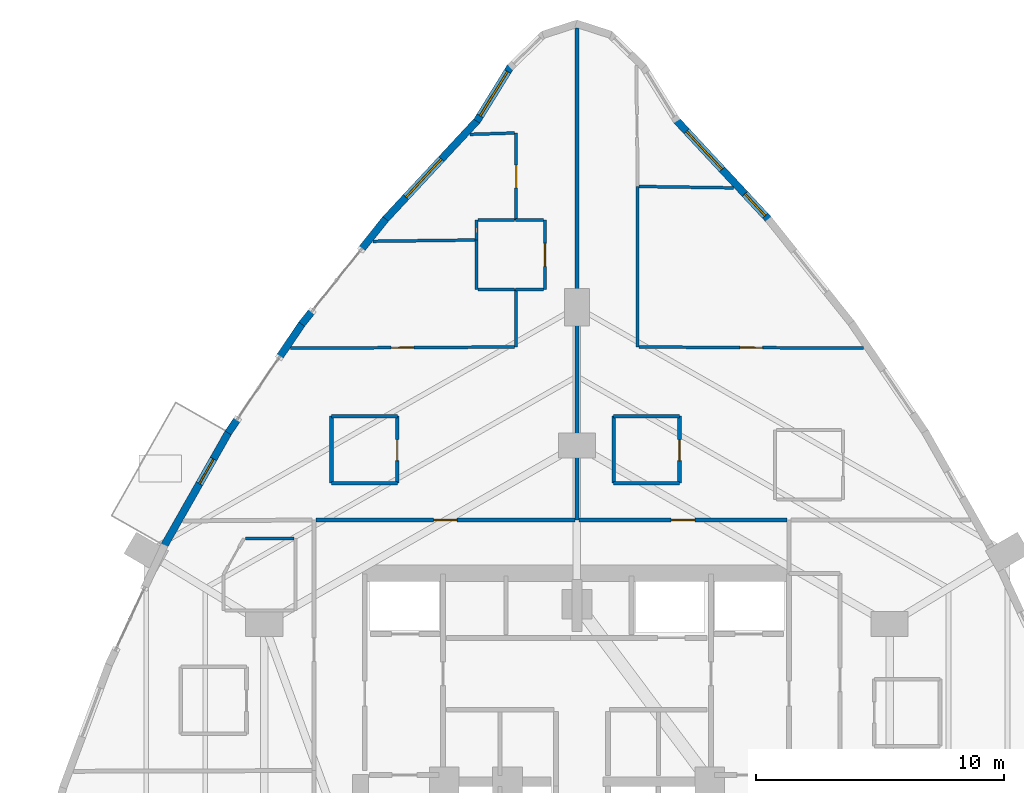
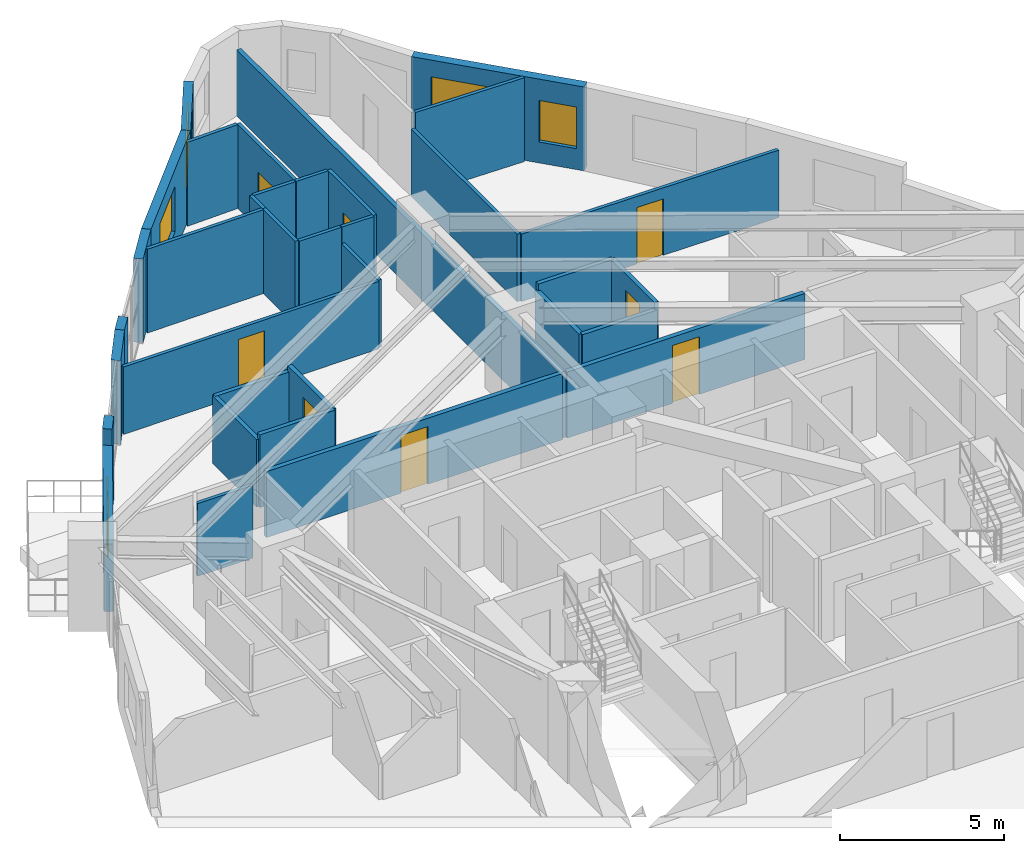
# One storey, part 15 of 17: 35 walls, 9 doors, 4 windows, 13 openings.
"""IFC4 building model written with IfcOpenShell, lengths in metres."""

from ifc_helpers import new_model, si_unit, direction, frame, frame_2d, origin, place, context, subcontext, project, spatial, rectangle, extrude, material, layer, layer_set, type_object, element, fill, save


model = new_model("IFC4")

# Units and contexts
model_context = context("Model", 3, precision=1e-05, world=origin(), true_north=direction((0.0, 1.0)))
body_context = subcontext(model_context, "Body", "Model", "MODEL_VIEW")
ifc_project = project(units=[si_unit("LENGTHUNIT", "METRE"), si_unit("AREAUNIT", "SQUARE_METRE"), si_unit("VOLUMEUNIT", "CUBIC_METRE"), si_unit("PLANEANGLEUNIT", "RADIAN"), si_unit("MASSUNIT", "GRAM", prefix="KILO")], contexts=[model_context])

# Site, building, storey
site_placement = place(None, origin())
site = spatial("IfcSite", under=ifc_project, at=site_placement, CompositionType="ELEMENT")
building_placement = place(site_placement, origin())
building = spatial("IfcBuilding", under=site, at=building_placement, Name="Miruveldt Soraemaru", CompositionType="ELEMENT")
storey_placement = place(building_placement, frame((0.0, 0.0, 53.0)))
storey = spatial("IfcBuildingStorey", under=building, at=storey_placement, Name="L14", CompositionType="ELEMENT", Elevation=53.0)

# Wall, opening, window
ifc_material_1 = material(Name="Precast concrete C45/55 (45 MPa)", Category="concrete")
ifc_layer_1 = layer(ifc_material_1, 0.300048828125, Name="Precast concrete C45/55 (45 MPa)", Category="concrete")
ifc_layer_set_1 = layer_set([ifc_layer_1], Name="Precast concrete C45/55 (45 MPa)")
wall_type_1 = type_object("IfcWallType", Name="WALL-EXT-PC300", PredefinedType="SOLIDWALL", material=ifc_layer_set_1)
wall_1_placement = place(storey_placement, frame((41.3408203125, 72.890625, 0.0), z_axis=(0.0, 0.0, 1.0), x_axis=(-0.526091034917, -0.850428258573, 0.0)))
wall_1 = element("IfcWall", 1, at=wall_1_placement, inside=storey, type_object=wall_type_1, Name="L14 Precast Concrete Facade Wall 6", PredefinedType="SOLIDWALL", context=body_context, shape_type="SweptSolid", body=[
    extrude(rectangle(XDim=2.614990234375, YDim=0.300048828125, at=frame_2d((1.3076171875, 0.0))), origin(), (0.0, 0.0, 1.0), 3.125),
])
opening_1_placement = place(wall_1_placement, frame((0.258056640625, 0.0, 0.800048828125)))
opening_1 = element("IfcOpeningElement", 2, at=opening_1_placement, cuts=wall_1, Name="Opening WN-1", PredefinedType="OPENING", context=body_context, shape_type="SweptSolid", body=[
    extrude(rectangle(XDim=2.10009765625, YDim=1.699951171875, at=frame_2d((1.050048828125, 0.85009765625))), frame((0.0, 0.16015625, 0.0), z_axis=(0.0, -1.0, 0.0), x_axis=(1.0, 0.0, 0.0)), (0.0, 0.0, 1.0), 0.320068359375),
])
ifc_material_2 = material(Name="Triple low-e insulated glazing", Category="glass")
window_type_1 = type_object("IfcWindowType", Name="WIN-PUNCH-2100x1700", PartitioningType="SINGLE_PANEL", PredefinedType="WINDOW", material=ifc_material_2)
window_1_placement = place(opening_1_placement, origin())
window_1 = element("IfcWindow", 3, at=window_1_placement, inside=storey, type_object=window_type_1, Name="L14 Punched Triple-Glazed Window 06.1", OverallHeight=1.699951171875, OverallWidth=2.10009765625, PartitioningType="SINGLE_PANEL", PredefinedType="WINDOW", context=body_context, shape_type="SweptSolid", body=[
    extrude(rectangle(XDim=2.10009765625, YDim=1.699951171875, at=frame_2d((1.050048828125, 0.85009765625))), frame((0.0, 0.030029296875, 0.0), z_axis=(0.0, -1.0, 0.0), x_axis=(1.0, 0.0, 0.0)), (0.0, 0.0, 1.0), 0.06005859375),
])
fill(opening_1, window_1)

wall_2_placement = place(storey_placement, frame((40.00732421875, 70.72216796875, 0.0), z_axis=(0.0, 0.0, 1.0), x_axis=(-0.680895092612, -0.732380961561, 0.0)))
wall_2 = element("IfcWall", 4, at=wall_2_placement, inside=storey, type_object=wall_type_1, Name="L14 Precast Concrete Facade Wall 7", PredefinedType="SOLIDWALL", context=body_context, shape_type="SweptSolid", body=[
    extrude(rectangle(XDim=5.5244140625, YDim=0.300048828125, at=frame_2d((2.76220703125, 0.0))), origin(), (0.0, 0.0, 1.0), 3.125),
])
opening_2_placement = place(wall_2_placement, frame((2.155029296875, 0.0, 0.800048828125)))
opening_2 = element("IfcOpeningElement", 5, at=opening_2_placement, cuts=wall_2, Name="Opening WN-1", PredefinedType="OPENING", context=body_context, shape_type="SweptSolid", body=[
    extrude(rectangle(XDim=2.10009765625, YDim=1.699951171875, at=frame_2d((1.050048828125, 0.85009765625))), frame((0.0, 0.16015625, 0.0), z_axis=(0.0, -1.0, 0.0), x_axis=(1.0, 0.0, 0.0)), (0.0, 0.0, 1.0), 0.320068359375),
])
window_2_placement = place(opening_2_placement, origin())
window_2 = element("IfcWindow", 6, at=window_2_placement, inside=storey, type_object=window_type_1, Name="L14 Punched Triple-Glazed Window 07.1", OverallHeight=1.699951171875, OverallWidth=2.10009765625, PartitioningType="SINGLE_PANEL", PredefinedType="WINDOW", context=body_context, shape_type="SweptSolid", body=[
    extrude(rectangle(XDim=2.10009765625, YDim=1.699951171875, at=frame_2d((1.050048828125, 0.85009765625))), frame((0.0, 0.030029296875, 0.0), z_axis=(0.0, -1.0, 0.0), x_axis=(1.0, 0.0, 0.0)), (0.0, 0.0, 1.0), 0.06005859375),
])
fill(opening_2, window_2)

# Walls
wall_3_placement = place(storey_placement, frame((36.29150390625, 66.729248046875, 0.0), z_axis=(0.0, 0.0, 1.0), x_axis=(-0.623615981755, -0.781730840699, 0.0)))
element("IfcWall", 7, at=wall_3_placement, inside=storey, type_object=wall_type_1, Name="L14 Precast Pier Left 8", PredefinedType="SOLIDWALL", context=body_context, shape_type="SweptSolid", body=[
    extrude(rectangle(XDim=1.601318359375, YDim=0.300048828125, at=frame_2d((0.80078125, 0.0))), origin(), (0.0, 0.0, 1.0), 3.125),
])
wall_4_placement = place(storey_placement, frame((33.347412109375, 63.03857421875, 0.0), z_axis=(0.0, 0.0, 1.0), x_axis=(-0.623597172589, -0.781745845105, 0.0)))
element("IfcWall", 8, at=wall_4_placement, inside=storey, type_object=wall_type_1, Name="L14 Precast Pier Right 8", PredefinedType="SOLIDWALL", context=body_context, shape_type="SweptSolid", body=[
    extrude(rectangle(XDim=0.70556640625, YDim=0.300048828125, at=frame_2d((0.352783203125, 0.0))), origin(), (0.0, 0.0, 1.0), 3.125),
])
wall_5_placement = place(storey_placement, frame((32.948974609375, 62.54345703125, 0.0), z_axis=(0.0, 0.0, 1.0), x_axis=(-0.560835471844, -0.827927275503, 0.0)))
element("IfcWall", 9, at=wall_5_placement, inside=storey, type_object=wall_type_1, Name="L14 Precast Pier Left 9", PredefinedType="SOLIDWALL", context=body_context, shape_type="SweptSolid", body=[
    extrude(rectangle(XDim=1.703857421875, YDim=0.300048828125, at=frame_2d((0.85205078125, 0.0))), origin(), (0.0, 0.0, 1.0), 3.125),
])
wall_6_placement = place(storey_placement, frame((30.338134765625, 58.689453125, 0.0), z_axis=(0.0, 0.0, 1.0), x_axis=(-0.56067967064, -0.828032793391, 0.0)))
element("IfcWall", 10, at=wall_6_placement, inside=storey, type_object=wall_type_1, Name="L14 Precast Pier Right 9", PredefinedType="SOLIDWALL", context=body_context, shape_type="SweptSolid", body=[
    extrude(rectangle(XDim=0.705078125, YDim=0.300048828125, at=frame_2d((0.3525390625, 0.0))), origin(), (0.0, 0.0, 1.0), 3.125),
])

# Wall, opening, door
wall_7_placement = place(storey_placement, frame((29.979736328125, 58.1650390625, 0.0), z_axis=(0.0, 0.0, 1.0), x_axis=(-0.493372197002, -0.869818300121, 0.0)))
wall_7 = element("IfcWall", 11, at=wall_7_placement, inside=storey, type_object=wall_type_1, Name="L14 Precast Concrete Facade Wall 10", PredefinedType="SOLIDWALL", context=body_context, shape_type="SweptSolid", body=[
    extrude(rectangle(XDim=5.326416015625, YDim=0.300048828125, at=frame_2d((2.6630859375, 0.0))), origin(), (0.0, 0.0, 1.0), 2.512939453125),
])
opening_3_placement = place(wall_7_placement, frame((1.27197265625, 0.0, 0.0)))
opening_3 = element("IfcOpeningElement", 12, at=opening_3_placement, cuts=wall_7, Name="Opening TD-2", PredefinedType="OPENING", context=body_context, shape_type="SweptSolid", body=[
    extrude(rectangle(XDim=1.14990234375, YDim=2.199951171875, at=frame_2d((0.574951171875, 1.10009765625))), frame((0.0, 0.16015625, 0.0), z_axis=(0.0, -1.0, 0.0), x_axis=(1.0, 0.0, 0.0)), (0.0, 0.0, 1.0), 0.320068359375),
])
ifc_material_3 = material(Name="Anodised aluminium EN AW-6063 T6", Category="aluminium")
door_type_1 = type_object("IfcDoorType", Name="DOOR-SG-1150", OperationType="NOTDEFINED", PredefinedType="DOOR", material=ifc_material_3)
door_1_placement = place(opening_3_placement, frame((1.14990234375, 0.0, 0.0), z_axis=(0.0, 0.0, 1.0), x_axis=(-1.0, 0.0, 0.0)))
door_1 = element("IfcDoor", 13, at=door_1_placement, inside=storey, type_object=door_type_1, Name="L14 Terrace Access Glazed Door 10", OperationType="SINGLE_SWING_RIGHT", OverallHeight=2.199951171875, OverallWidth=1.14990234375, PredefinedType="DOOR", context=body_context, shape_type="SweptSolid", body=[
    extrude(rectangle(XDim=1.14990234375, YDim=2.199951171875, at=frame_2d((0.574951171875, 1.10009765625))), frame((0.0, 0.02490234375, 0.0), z_axis=(0.0, -1.0, 0.0), x_axis=(1.0, 0.0, 0.0)), (0.0, 0.0, 1.0), 0.050048828125),
])
fill(opening_3, door_1)

# Wall, openings, windows
wall_8_placement = place(storey_placement, frame((51.754150390625, 66.67626953125, 0.0), z_axis=(0.0, 0.0, 1.0), x_axis=(-0.680895092612, 0.732380961561, 0.0)))
wall_8 = element("IfcWall", 14, at=wall_8_placement, inside=storey, type_object=wall_type_1, Name="L14 Precast Concrete Facade Wall 42", PredefinedType="SOLIDWALL", context=body_context, shape_type="SweptSolid", body=[
    extrude(rectangle(XDim=5.5244140625, YDim=0.300048828125, at=frame_2d((2.76220703125, 0.0))), origin(), (0.0, 0.0, 1.0), 3.125),
])
opening_4_placement = place(wall_8_placement, frame((0.24609375, 0.0, 0.780029296875)))
opening_4 = element("IfcOpeningElement", 15, at=opening_4_placement, cuts=wall_8, Name="Opening WN-4", PredefinedType="OPENING", context=body_context, shape_type="SweptSolid", body=[
    extrude(rectangle(XDim=1.199951171875, YDim=1.550048828125, at=frame_2d((0.60009765625, 0.77490234375))), frame((0.0, 0.16015625, 0.0), z_axis=(0.0, -1.0, 0.0), x_axis=(1.0, 0.0, 0.0)), (0.0, 0.0, 1.0), 0.320068359375),
])
opening_5_placement = place(wall_8_placement, frame((2.799072265625, 0.0, 0.800048828125)))
opening_5 = element("IfcOpeningElement", 16, at=opening_5_placement, cuts=wall_8, Name="Opening WN-1", PredefinedType="OPENING", context=body_context, shape_type="SweptSolid", body=[
    extrude(rectangle(XDim=2.10009765625, YDim=1.699951171875, at=frame_2d((1.050048828125, 0.85009765625))), frame((0.0, 0.16015625, 0.0), z_axis=(0.0, -1.0, 0.0), x_axis=(1.0, 0.0, 0.0)), (0.0, 0.0, 1.0), 0.320068359375),
])
window_type_2 = type_object("IfcWindowType", Name="WIN-PUNCH-1200x1550", PartitioningType="SINGLE_PANEL", PredefinedType="WINDOW", material=ifc_material_2)
window_3_placement = place(opening_4_placement, origin())
window_3 = element("IfcWindow", 17, at=window_3_placement, inside=storey, type_object=window_type_2, Name="L14 Punched Triple-Glazed Window 42.1", OverallHeight=1.550048828125, OverallWidth=1.199951171875, PartitioningType="SINGLE_PANEL", PredefinedType="WINDOW", context=body_context, shape_type="SweptSolid", body=[
    extrude(rectangle(XDim=1.199951171875, YDim=1.550048828125, at=frame_2d((0.60009765625, 0.77490234375))), frame((0.0, 0.030029296875, 0.0), z_axis=(0.0, -1.0, 0.0), x_axis=(1.0, 0.0, 0.0)), (0.0, 0.0, 1.0), 0.06005859375),
])
fill(opening_4, window_3)
window_4_placement = place(opening_5_placement, origin())
window_4 = element("IfcWindow", 18, at=window_4_placement, inside=storey, type_object=window_type_1, Name="L14 Punched Triple-Glazed Window 42.2", OverallHeight=1.699951171875, OverallWidth=2.10009765625, PartitioningType="SINGLE_PANEL", PredefinedType="WINDOW", context=body_context, shape_type="SweptSolid", body=[
    extrude(rectangle(XDim=2.10009765625, YDim=1.699951171875, at=frame_2d((1.050048828125, 0.85009765625))), frame((0.0, 0.030029296875, 0.0), z_axis=(0.0, -1.0, 0.0), x_axis=(1.0, 0.0, 0.0)), (0.0, 0.0, 1.0), 0.06005859375),
])
fill(opening_5, window_4)

# Wall, opening, door
ifc_material_4 = material(Name="Gypsum plasterboard lining", Category="gypsum")
ifc_layer_2 = layer(ifc_material_4, 0.1201171875, Name="Gypsum plasterboard lining", Category="gypsum")
ifc_layer_set_2 = layer_set([ifc_layer_2], Name="Gypsum plasterboard lining")
wall_type_2 = type_object("IfcWallType", Name="WALL-INT-P120", PredefinedType="PARTITIONING", material=ifc_layer_set_2)
wall_9_placement = place(storey_placement, frame((41.489990234375, 61.568115234375, 0.0), z_axis=(0.0, 0.0, 1.0), x_axis=(-0.999985831448, -0.005323241787, 0.0)))
wall_9 = element("IfcWall", 19, at=wall_9_placement, inside=storey, type_object=wall_type_2, Name="L14 Partition Wall 20", PredefinedType="PARTITIONING", context=body_context, shape_type="SweptSolid", body=[
    extrude(rectangle(XDim=9.03515625, YDim=0.1201171875, at=frame_2d((4.517578125, 0.0))), origin(), (0.0, 0.0, 1.0), 2.512939453125),
])
opening_6_placement = place(wall_9_placement, frame((4.05810546875, 0.0, 0.0)))
opening_6 = element("IfcOpeningElement", 20, at=opening_6_placement, cuts=wall_9, Name="Opening D3A", PredefinedType="OPENING", context=body_context, shape_type="SweptSolid", body=[
    extrude(rectangle(XDim=0.919921875, YDim=2.10009765625, at=frame_2d((0.4599609375, 1.050048828125))), frame((0.0, 0.070068359375, 0.0), z_axis=(0.0, -1.0, 0.0), x_axis=(1.0, 0.0, 0.0)), (0.0, 0.0, 1.0), 0.14013671875),
])
door_type_2 = type_object("IfcDoorType", Name="DOOR-INT-920", OperationType="NOTDEFINED", PredefinedType="DOOR", material=ifc_material_3)
door_2_placement = place(opening_6_placement, origin())
door_2 = element("IfcDoor", 21, at=door_2_placement, inside=storey, type_object=door_type_2, Name="L14 Unit 1401 BD1 Door", OperationType="SINGLE_SWING_LEFT", OverallHeight=2.10009765625, OverallWidth=0.919921875, PredefinedType="DOOR", context=body_context, shape_type="SweptSolid", body=[
    extrude(rectangle(XDim=0.919921875, YDim=2.10009765625, at=frame_2d((0.4599609375, 1.050048828125))), frame((0.0, 0.02490234375, 0.0), z_axis=(0.0, -1.0, 0.0), x_axis=(1.0, 0.0, 0.0)), (0.0, 0.0, 1.0), 0.050048828125),
])
fill(opening_6, door_2)

wall_10_placement = place(storey_placement, frame((55.544921875, 61.52001953125, 0.0), z_axis=(0.0, 0.0, 1.0), x_axis=(-0.999985831448, 0.005323241787, 0.0)))
wall_10 = element("IfcWall", 22, at=wall_10_placement, inside=storey, type_object=wall_type_2, Name="L14 Partition Wall 38", PredefinedType="PARTITIONING", context=body_context, shape_type="SweptSolid", body=[
    extrude(rectangle(XDim=9.03515625, YDim=0.1201171875, at=frame_2d((4.517578125, 0.0))), origin(), (0.0, 0.0, 1.0), 2.512939453125),
])
opening_7_placement = place(wall_10_placement, frame((4.05810546875, 0.0, 0.0)))
opening_7 = element("IfcOpeningElement", 23, at=opening_7_placement, cuts=wall_10, Name="Opening D3A", PredefinedType="OPENING", context=body_context, shape_type="SweptSolid", body=[
    extrude(rectangle(XDim=0.919921875, YDim=2.10009765625, at=frame_2d((0.4599609375, 1.050048828125))), frame((0.0, 0.070068359375, 0.0), z_axis=(0.0, -1.0, 0.0), x_axis=(1.0, 0.0, 0.0)), (0.0, 0.0, 1.0), 0.14013671875),
])
door_3_placement = place(opening_7_placement, origin())
door_3 = element("IfcDoor", 24, at=door_3_placement, inside=storey, type_object=door_type_2, Name="L14 Unit 1402 BD1 Door", OperationType="SINGLE_SWING_RIGHT", OverallHeight=2.10009765625, OverallWidth=0.919921875, PredefinedType="DOOR", context=body_context, shape_type="SweptSolid", body=[
    extrude(rectangle(XDim=0.919921875, YDim=2.10009765625, at=frame_2d((0.4599609375, 1.050048828125))), frame((0.0, 0.02490234375, 0.0), z_axis=(0.0, -1.0, 0.0), x_axis=(1.0, 0.0, 0.0)), (0.0, 0.0, 1.0), 0.050048828125),
])
fill(opening_7, door_3)

wall_11_placement = place(storey_placement, frame((41.550048828125, 70.195068359375, 0.0), z_axis=(0.0, 0.0, 1.0), x_axis=(0.0, -1.0, 0.0)))
wall_11 = element("IfcWall", 25, at=wall_11_placement, inside=storey, type_object=wall_type_2, Name="L14 Partition Wall 22", PredefinedType="PARTITIONING", context=body_context, shape_type="SweptSolid", body=[
    extrude(rectangle(XDim=3.51513671875, YDim=0.1201171875, at=frame_2d((1.757568359375, 0.0))), origin(), (0.0, 0.0, 1.0), 3.125),
])
opening_8_placement = place(wall_11_placement, frame((1.297119140625, 0.0, 0.0)))
opening_8 = element("IfcOpeningElement", 26, at=opening_8_placement, cuts=wall_11, Name="Opening D3A", PredefinedType="OPENING", context=body_context, shape_type="SweptSolid", body=[
    extrude(rectangle(XDim=0.919921875, YDim=2.10009765625, at=frame_2d((0.4599609375, 1.050048828125))), frame((0.0, 0.070068359375, 0.0), z_axis=(0.0, -1.0, 0.0), x_axis=(1.0, 0.0, 0.0)), (0.0, 0.0, 1.0), 0.14013671875),
])
door_4_placement = place(opening_8_placement, origin())
door_4 = element("IfcDoor", 27, at=door_4_placement, inside=storey, type_object=door_type_2, Name="L14 Unit 1401 BD2 Door", OperationType="SINGLE_SWING_RIGHT", OverallHeight=2.10009765625, OverallWidth=0.919921875, PredefinedType="DOOR", context=body_context, shape_type="SweptSolid", body=[
    extrude(rectangle(XDim=0.919921875, YDim=2.10009765625, at=frame_2d((0.4599609375, 1.050048828125))), frame((0.0, 0.02490234375, 0.0), z_axis=(0.0, -1.0, 0.0), x_axis=(1.0, 0.0, 0.0)), (0.0, 0.0, 1.0), 0.050048828125),
])
fill(opening_8, door_4)

wall_12_placement = place(storey_placement, frame((42.7099609375, 63.8798828125, 0.0), z_axis=(0.0, 0.0, 1.0), x_axis=(0.0, 1.0, 0.0)))
wall_12 = element("IfcWall", 28, at=wall_12_placement, inside=storey, type_object=wall_type_2, Name="L14 Partition Wall 16", PredefinedType="PARTITIONING", context=body_context, shape_type="SweptSolid", body=[
    extrude(rectangle(XDim=2.800048828125, YDim=0.1201171875, at=frame_2d((1.39990234375, 0.0))), origin(), (0.0, 0.0, 1.0), 3.125),
])
opening_9_placement = place(wall_12_placement, frame((0.93994140625, 0.0, 0.0)))
opening_9 = element("IfcOpeningElement", 29, at=opening_9_placement, cuts=wall_12, Name="Opening D3A", PredefinedType="OPENING", context=body_context, shape_type="SweptSolid", body=[
    extrude(rectangle(XDim=0.919921875, YDim=2.10009765625, at=frame_2d((0.4599609375, 1.050048828125))), frame((0.0, 0.070068359375, 0.0), z_axis=(0.0, -1.0, 0.0), x_axis=(1.0, 0.0, 0.0)), (0.0, 0.0, 1.0), 0.14013671875),
])
door_5_placement = place(opening_9_placement, origin())
door_5 = element("IfcDoor", 30, at=door_5_placement, inside=storey, type_object=door_type_2, Name="L14 Unit 1401 KIT Door", OperationType="SINGLE_SWING_RIGHT", OverallHeight=2.10009765625, OverallWidth=0.919921875, PredefinedType="DOOR", context=body_context, shape_type="SweptSolid", body=[
    extrude(rectangle(XDim=0.919921875, YDim=2.10009765625, at=frame_2d((0.4599609375, 1.050048828125))), frame((0.0, 0.02490234375, 0.0), z_axis=(0.0, -1.0, 0.0), x_axis=(1.0, 0.0, 0.0)), (0.0, 0.0, 1.0), 0.050048828125),
])
fill(opening_9, door_5)

# Walls
wall_13_placement = place(storey_placement, frame((46.449951171875, 61.568115234375, 0.0), z_axis=(0.0, 0.0, 1.0), x_axis=(0.0, 1.0, 0.0)))
element("IfcWall", 31, at=wall_13_placement, inside=storey, type_object=wall_type_2, Name="L14 Partition Wall 39", PredefinedType="PARTITIONING", context=body_context, shape_type="SweptSolid", body=[
    extrude(rectangle(XDim=6.469970703125, YDim=0.1201171875, at=frame_2d((3.23486328125, 0.0))), origin(), (0.0, 0.0, 1.0), 2.512939453125),
])
wall_14_placement = place(storey_placement, frame((39.89990234375, 65.8798828125, 0.0), z_axis=(0.0, 0.0, 1.0), x_axis=(-0.999920198032, -0.012633193083, 0.0)))
element("IfcWall", 32, at=wall_14_placement, inside=storey, type_object=wall_type_2, Name="L14 Partition Wall 29", PredefinedType="PARTITIONING", context=body_context, shape_type="SweptSolid", body=[
    extrude(rectangle(XDim=4.1162109375, YDim=0.1201171875, at=frame_2d((2.05810546875, 0.0))), origin(), (0.0, 0.0, 1.0), 3.125),
])
wall_15_placement = place(storey_placement, frame((50.31689453125, 67.97998046875, 0.0), z_axis=(0.0, 0.0, 1.0), x_axis=(-0.999887417985, 0.015005044302, 0.0)))
element("IfcWall", 33, at=wall_15_placement, inside=storey, type_object=wall_type_2, Name="L14 Partition Wall 42", PredefinedType="PARTITIONING", context=body_context, shape_type="SweptSolid", body=[
    extrude(rectangle(XDim=3.807373046875, YDim=0.1201171875, at=frame_2d((1.90380859375, 0.0))), origin(), (0.0, 0.0, 1.0), 3.125),
])
wall_16_placement = place(storey_placement, frame((41.550048828125, 63.8798828125, 0.0), z_axis=(0.0, 0.0, 1.0), x_axis=(0.0, -1.0, 0.0)))
element("IfcWall", 34, at=wall_16_placement, inside=storey, type_object=wall_type_2, Name="L14 Partition Wall 19", PredefinedType="PARTITIONING", context=body_context, shape_type="SweptSolid", body=[
    extrude(rectangle(XDim=2.311767578125, YDim=0.1201171875, at=frame_2d((1.15576171875, 0.0))), origin(), (0.0, 0.0, 1.0), 2.512939453125),
])
wall_17_placement = place(storey_placement, frame((39.9599609375, 65.881103515625, 0.0), z_axis=(0.0, 0.0, 1.0), x_axis=(0.0, -1.0, 0.0)))
element("IfcWall", 35, at=wall_17_placement, inside=storey, type_object=wall_type_2, Name="L14 Partition Wall 25", PredefinedType="PARTITIONING", context=body_context, shape_type="SweptSolid", body=[
    extrude(rectangle(XDim=2.001220703125, YDim=0.1201171875, at=frame_2d((1.00048828125, 0.0))), origin(), (0.0, 0.0, 1.0), 3.125),
])
wall_18_placement = place(storey_placement, frame((30.638916015625, 53.85009765625, 0.0), z_axis=(0.0, 0.0, 1.0), x_axis=(1.0, 0.0, 0.0)))
element("IfcWall", 36, at=wall_18_placement, inside=storey, type_object=wall_type_2, Name="L14 Partition Wall 50", PredefinedType="PARTITIONING", context=body_context, shape_type="SweptSolid", body=[
    extrude(rectangle(XDim=1.951171875, YDim=0.1201171875, at=frame_2d((0.9755859375, 0.0))), origin(), (0.0, 0.0, 1.0), 2.712890625),
])
wall_19_placement = place(storey_placement, frame((39.68896484375, 70.136962890625, 0.0), z_axis=(0.0, 0.0, 1.0), x_axis=(0.999514320662, 0.031162843128, 0.0)))
element("IfcWall", 37, at=wall_19_placement, inside=storey, type_object=wall_type_2, Name="L14 Partition Wall 21", PredefinedType="PARTITIONING", context=body_context, shape_type="SweptSolid", body=[
    extrude(rectangle(XDim=1.802001953125, YDim=0.1201171875, at=frame_2d((0.90087890625, 0.0))), origin(), (0.0, 0.0, 1.0), 3.125),
])
for number, where, z_axis, x_axis, name in (
    (38, (40.02001953125, 63.8798828125, 0.0), (0.0, 0.0, 1.0), (1.0, 0.0, 0.0), "L14 Partition Wall 26"),
    (39, (41.489990234375, 66.679931640625, 0.0), (0.0, 0.0, 1.0), (-1.0, 0.0, 0.0), "L14 Partition Wall 27"),
):
    element("IfcWall", number, at=place(storey_placement, frame(where, z_axis=z_axis, x_axis=x_axis)), inside=storey, type_object=wall_type_2, Name=name, PredefinedType="PARTITIONING", context=body_context, shape_type="SweptSolid", body=[
        extrude(rectangle(XDim=1.469970703125, YDim=0.1201171875, at=frame_2d((0.73486328125, 0.0))), origin(), (0.0, 0.0, 1.0), 3.125),
    ])
for number, where, z_axis, x_axis, name in (
    (40, (42.64990234375, 66.679931640625, 0.0), (0.0, 0.0, 1.0), (-1.0, 0.0, 0.0), "L14 Partition Wall 17"),
    (41, (41.52001953125, 63.8798828125, 0.0), (0.0, 0.0, 1.0), (1.0, 0.0, 0.0), "L14 Partition Wall 18"),
):
    element("IfcWall", number, at=place(storey_placement, frame(where, z_axis=z_axis, x_axis=x_axis)), inside=storey, type_object=wall_type_2, Name=name, PredefinedType="PARTITIONING", context=body_context, shape_type="SweptSolid", body=[
        extrude(rectangle(XDim=1.1298828125, YDim=0.1201171875, at=frame_2d((0.56494140625, 0.0))), origin(), (0.0, 0.0, 1.0), 3.125),
    ])
wall_20_placement = place(storey_placement, frame((39.9599609375, 66.679931640625, 0.0), z_axis=(0.0, 0.0, 1.0), x_axis=(0.0, -1.0, 0.0)))
element("IfcWall", 42, at=wall_20_placement, inside=storey, type_object=wall_type_2, Name="L14 Partition Wall 28", PredefinedType="PARTITIONING", context=body_context, shape_type="SweptSolid", body=[
    extrude(rectangle(XDim=0.798828125, YDim=0.1201171875, at=frame_2d((0.3994140625, 0.0))), origin(), (0.0, 0.0, 1.0), 3.125),
])

# Wall, opening, door
ifc_layer_3 = layer(ifc_material_4, 0.14990234375, Name="Gypsum plasterboard lining", Category="gypsum")
ifc_layer_set_3 = layer_set([ifc_layer_3], Name="Gypsum plasterboard lining")
wall_type_3 = type_object("IfcWallType", Name="WALL-INT-PLUMB", PredefinedType="PLUMBINGWALL", material=ifc_layer_set_3)
wall_21_placement = place(storey_placement, frame((36.760009765625, 56.080078125, 0.0), z_axis=(0.0, 0.0, 1.0), x_axis=(0.0, 1.0, 0.0)))
wall_21 = element("IfcWall", 43, at=wall_21_placement, inside=storey, type_object=wall_type_3, Name="L14 Partition Wall 12", PredefinedType="PLUMBINGWALL", context=body_context, shape_type="SweptSolid", body=[
    extrude(rectangle(XDim=2.699951171875, YDim=0.14990234375, at=frame_2d((1.35009765625, 0.0))), origin(), (0.0, 0.0, 1.0), 2.712890625),
])
opening_10_placement = place(wall_21_placement, frame((0.909912109375, 0.0, 0.0)))
opening_10 = element("IfcOpeningElement", 44, at=opening_10_placement, cuts=wall_21, Name="Opening FD3", PredefinedType="OPENING", context=body_context, shape_type="SweptSolid", body=[
    extrude(rectangle(XDim=0.85009765625, YDim=2.10009765625, at=frame_2d((0.425048828125, 1.050048828125))), frame((0.0, 0.0849609375, 0.0), z_axis=(0.0, -1.0, 0.0), x_axis=(1.0, 0.0, 0.0)), (0.0, 0.0, 1.0), 0.169921875),
])
door_type_3 = type_object("IfcDoorType", Name="DOOR-FD3-850", OperationType="NOTDEFINED", PredefinedType="DOOR", material=ifc_material_3)
door_6_placement = place(opening_10_placement, origin())
door_6 = element("IfcDoor", 45, at=door_6_placement, inside=storey, type_object=door_type_3, Name="L14 Unit 1401 BTH Door", OperationType="SINGLE_SWING_LEFT", OverallHeight=2.10009765625, OverallWidth=0.85009765625, PredefinedType="DOOR", context=body_context, shape_type="SweptSolid", body=[
    extrude(rectangle(XDim=0.85009765625, YDim=2.10009765625, at=frame_2d((0.425048828125, 1.050048828125))), frame((0.0, 0.02490234375, 0.0), z_axis=(0.0, -1.0, 0.0), x_axis=(1.0, 0.0, 0.0)), (0.0, 0.0, 1.0), 0.050048828125),
])
fill(opening_10, door_6)

wall_22_placement = place(storey_placement, frame((48.1298828125, 56.080078125, 0.0), z_axis=(0.0, 0.0, 1.0), x_axis=(0.0, 1.0, 0.0)))
wall_22 = element("IfcWall", 46, at=wall_22_placement, inside=storey, type_object=wall_type_3, Name="L14 Partition Wall 30", PredefinedType="PLUMBINGWALL", context=body_context, shape_type="SweptSolid", body=[
    extrude(rectangle(XDim=2.699951171875, YDim=0.14990234375, at=frame_2d((1.35009765625, 0.0))), origin(), (0.0, 0.0, 1.0), 2.712890625),
])
opening_11_placement = place(wall_22_placement, frame((0.909912109375, 0.0, 0.0)))
opening_11 = element("IfcOpeningElement", 47, at=opening_11_placement, cuts=wall_22, Name="Opening FD3", PredefinedType="OPENING", context=body_context, shape_type="SweptSolid", body=[
    extrude(rectangle(XDim=0.85009765625, YDim=2.10009765625, at=frame_2d((0.425048828125, 1.050048828125))), frame((0.0, 0.0849609375, 0.0), z_axis=(0.0, -1.0, 0.0), x_axis=(1.0, 0.0, 0.0)), (0.0, 0.0, 1.0), 0.169921875),
])
door_7_placement = place(opening_11_placement, origin())
door_7 = element("IfcDoor", 48, at=door_7_placement, inside=storey, type_object=door_type_3, Name="L14 Unit 1402 BTH Door", OperationType="SINGLE_SWING_RIGHT", OverallHeight=2.10009765625, OverallWidth=0.85009765625, PredefinedType="DOOR", context=body_context, shape_type="SweptSolid", body=[
    extrude(rectangle(XDim=0.85009765625, YDim=2.10009765625, at=frame_2d((0.425048828125, 1.050048828125))), frame((0.0, 0.02490234375, 0.0), z_axis=(0.0, -1.0, 0.0), x_axis=(1.0, 0.0, 0.0)), (0.0, 0.0, 1.0), 0.050048828125),
])
fill(opening_11, door_7)

# Walls
wall_23_placement = place(storey_placement, frame((34.110107421875, 58.780029296875, 0.0), z_axis=(0.0, 0.0, 1.0), x_axis=(0.0, -1.0, 0.0)))
element("IfcWall", 49, at=wall_23_placement, inside=storey, type_object=wall_type_3, Name="L14 Partition Wall 14", PredefinedType="PLUMBINGWALL", context=body_context, shape_type="SweptSolid", body=[
    extrude(rectangle(XDim=2.699951171875, YDim=0.14990234375, at=frame_2d((1.35009765625, 0.0))), origin(), (0.0, 0.0, 1.0), 2.512939453125),
])
wall_24_placement = place(storey_placement, frame((45.47998046875, 58.780029296875, 0.0), z_axis=(0.0, 0.0, 1.0), x_axis=(0.0, -1.0, 0.0)))
element("IfcWall", 50, at=wall_24_placement, inside=storey, type_object=wall_type_3, Name="L14 Partition Wall 32", PredefinedType="PLUMBINGWALL", context=body_context, shape_type="SweptSolid", body=[
    extrude(rectangle(XDim=2.699951171875, YDim=0.14990234375, at=frame_2d((1.35009765625, 0.0))), origin(), (0.0, 0.0, 1.0), 2.462890625),
])
wall_25_placement = place(storey_placement, frame((48.1298828125, 58.780029296875, 0.0), z_axis=(0.0, 0.0, 1.0), x_axis=(-1.0, 0.0, 0.0)))
element("IfcWall", 51, at=wall_25_placement, inside=storey, type_object=wall_type_3, Name="L14 Partition Wall 31", PredefinedType="PLUMBINGWALL", context=body_context, shape_type="SweptSolid", body=[
    extrude(rectangle(XDim=2.64990234375, YDim=0.14990234375, at=frame_2d((1.324951171875, 0.0))), origin(), (0.0, 0.0, 1.0), 2.712890625),
])
wall_26_placement = place(storey_placement, frame((45.47998046875, 56.080078125, 0.0), z_axis=(0.0, 0.0, 1.0), x_axis=(1.0, 0.0, 0.0)))
element("IfcWall", 52, at=wall_26_placement, inside=storey, type_object=wall_type_3, Name="L14 Partition Wall 33", PredefinedType="PLUMBINGWALL", context=body_context, shape_type="SweptSolid", body=[
    extrude(rectangle(XDim=2.64990234375, YDim=0.14990234375, at=frame_2d((1.324951171875, 0.0))), origin(), (0.0, 0.0, 1.0), 2.462890625),
])
wall_27_placement = place(storey_placement, frame((36.760009765625, 58.780029296875, 0.0), z_axis=(0.0, 0.0, 1.0), x_axis=(-1.0, 0.0, 0.0)))
element("IfcWall", 53, at=wall_27_placement, inside=storey, type_object=wall_type_3, Name="L14 Partition Wall 13", PredefinedType="PLUMBINGWALL", context=body_context, shape_type="SweptSolid", body=[
    extrude(rectangle(XDim=2.64990234375, YDim=0.14990234375, at=frame_2d((1.324951171875, 0.0))), origin(), (0.0, 0.0, 1.0), 2.512939453125),
])
wall_28_placement = place(storey_placement, frame((34.110107421875, 56.080078125, 0.0), z_axis=(0.0, 0.0, 1.0), x_axis=(1.0, 0.0, 0.0)))
element("IfcWall", 54, at=wall_28_placement, inside=storey, type_object=wall_type_3, Name="L14 Partition Wall 15", PredefinedType="PLUMBINGWALL", context=body_context, shape_type="SweptSolid", body=[
    extrude(rectangle(XDim=2.64990234375, YDim=0.14990234375, at=frame_2d((1.324951171875, 0.0))), origin(), (0.0, 0.0, 1.0), 2.712890625),
])

# Wall, opening, door
ifc_material_5 = material(Name="Concrete C40/50 (40 MPa)", Category="concrete")
ifc_layer_4 = layer(ifc_material_5, 0.159912109375, Name="Concrete C40/50 (40 MPa)", Category="concrete")
ifc_layer_set_4 = layer_set([ifc_layer_4], Name="Concrete C40/50 (40 MPa)")
wall_type_4 = type_object("IfcWallType", Name="WALL-INT-RC160", PredefinedType="SOLIDWALL", material=ifc_layer_set_4)
wall_29_placement = place(storey_placement, frame((43.919921875, 54.60009765625, 0.0), z_axis=(0.0, 0.0, 1.0), x_axis=(-1.0, 0.0, 0.0)))
wall_29 = element("IfcWall", 55, at=wall_29_placement, inside=storey, type_object=wall_type_4, Name="L14 Partition Wall 1", PredefinedType="SOLIDWALL", context=body_context, shape_type="SweptSolid", body=[
    extrude(rectangle(XDim=10.43994140625, YDim=0.159912109375, at=frame_2d((5.219970703125, 0.0))), origin(), (0.0, 0.0, 1.0), 2.462890625),
])
opening_12_placement = place(wall_29_placement, frame((4.7451171875, 0.0, 0.0)))
opening_12 = element("IfcOpeningElement", 56, at=opening_12_placement, cuts=wall_29, Name="Opening FD2", PredefinedType="OPENING", context=body_context, shape_type="SweptSolid", body=[
    extrude(rectangle(XDim=0.949951171875, YDim=2.14990234375, at=frame_2d((0.47509765625, 1.074951171875))), frame((0.0, 0.08984375, 0.0), z_axis=(0.0, -1.0, 0.0), x_axis=(1.0, 0.0, 0.0)), (0.0, 0.0, 1.0), 0.179931640625),
])
door_type_4 = type_object("IfcDoorType", Name="DOOR-FD2-950", OperationType="NOTDEFINED", PredefinedType="DOOR", material=ifc_material_3)
door_8_placement = place(opening_12_placement, origin())
door_8 = element("IfcDoor", 57, at=door_8_placement, inside=storey, type_object=door_type_4, Name="L14 Unit 1401 Entrance Fire Door", OperationType="SINGLE_SWING_RIGHT", OverallHeight=2.14990234375, OverallWidth=0.949951171875, PredefinedType="DOOR", context=body_context, shape_type="SweptSolid", body=[
    extrude(rectangle(XDim=0.949951171875, YDim=2.14990234375, at=frame_2d((0.47509765625, 1.074951171875))), frame((0.0, 0.02490234375, 0.0), z_axis=(0.0, -1.0, 0.0), x_axis=(1.0, 0.0, 0.0)), (0.0, 0.0, 1.0), 0.050048828125),
])
fill(opening_12, door_8)

wall_30_placement = place(storey_placement, frame((52.469970703125, 54.60009765625, 0.0), z_axis=(0.0, 0.0, 1.0), x_axis=(-1.0, 0.0, 0.0)))
wall_30 = element("IfcWall", 58, at=wall_30_placement, inside=storey, type_object=wall_type_4, Name="L14 Partition Wall 2", PredefinedType="SOLIDWALL", context=body_context, shape_type="SweptSolid", body=[
    extrude(rectangle(XDim=8.389892578125, YDim=0.159912109375, at=frame_2d((4.19482421875, 0.0))), origin(), (0.0, 0.0, 1.0), 2.462890625),
])
opening_13_placement = place(wall_30_placement, frame((3.719970703125, 0.0, 0.0)))
opening_13 = element("IfcOpeningElement", 59, at=opening_13_placement, cuts=wall_30, Name="Opening FD2", PredefinedType="OPENING", context=body_context, shape_type="SweptSolid", body=[
    extrude(rectangle(XDim=0.949951171875, YDim=2.14990234375, at=frame_2d((0.47509765625, 1.074951171875))), frame((0.0, 0.08984375, 0.0), z_axis=(0.0, -1.0, 0.0), x_axis=(1.0, 0.0, 0.0)), (0.0, 0.0, 1.0), 0.179931640625),
])
door_9_placement = place(opening_13_placement, origin())
door_9 = element("IfcDoor", 60, at=door_9_placement, inside=storey, type_object=door_type_4, Name="L14 Unit 1402 Entrance Fire Door", OperationType="SINGLE_SWING_LEFT", OverallHeight=2.14990234375, OverallWidth=0.949951171875, PredefinedType="DOOR", context=body_context, shape_type="SweptSolid", body=[
    extrude(rectangle(XDim=0.949951171875, YDim=2.14990234375, at=frame_2d((0.47509765625, 1.074951171875))), frame((0.0, 0.02490234375, 0.0), z_axis=(0.0, -1.0, 0.0), x_axis=(1.0, 0.0, 0.0)), (0.0, 0.0, 1.0), 0.050048828125),
])
fill(opening_13, door_9)

# Wall
wall_31_placement = place(storey_placement, frame((44.0, 54.60009765625, 0.0), z_axis=(0.0, 0.0, 1.0), x_axis=(0.0, 1.0, 0.0)))
element("IfcWall", 61, at=wall_31_placement, inside=storey, type_object=wall_type_4, Name="L14 Partition Wall 23", PredefinedType="SOLIDWALL", context=body_context, shape_type="SweptSolid", body=[
    extrude(rectangle(XDim=19.81884765625, YDim=0.159912109375, at=frame_2d((9.909423828125, 0.0))), origin(), (0.0, 0.0, 1.0), 2.462890625),
])

save(model, "model.ifc")
